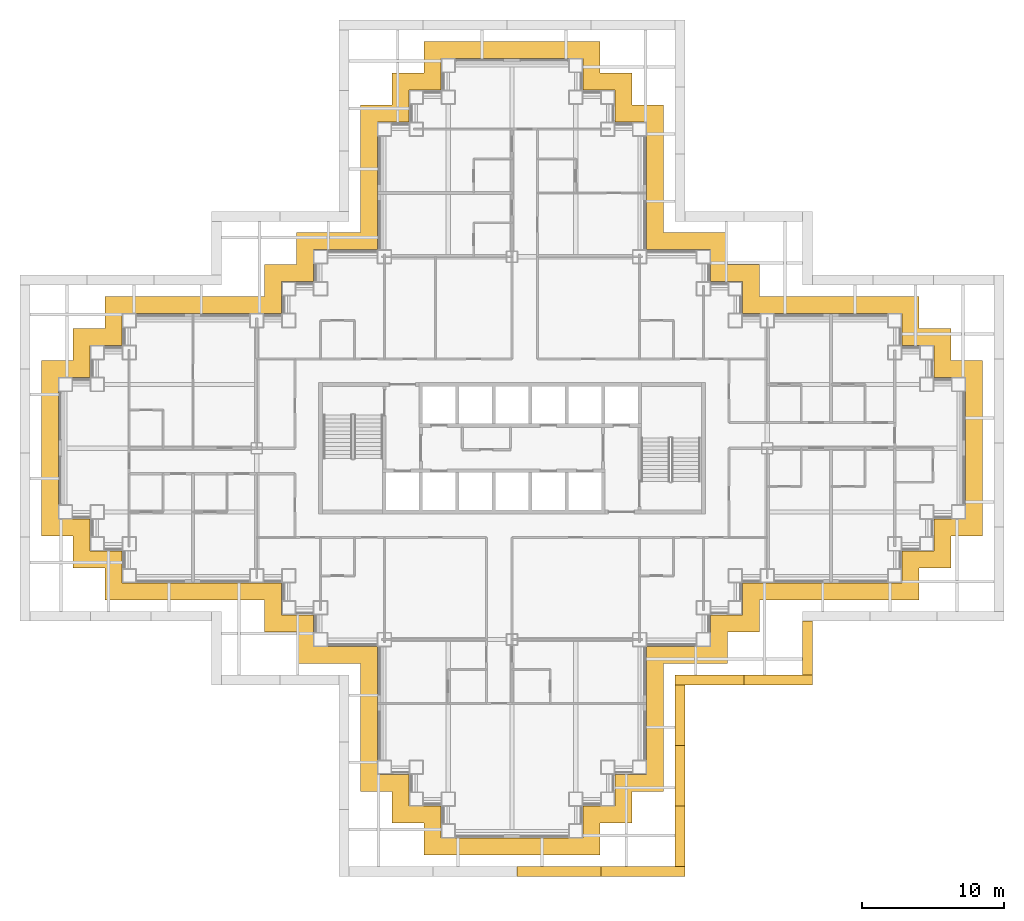
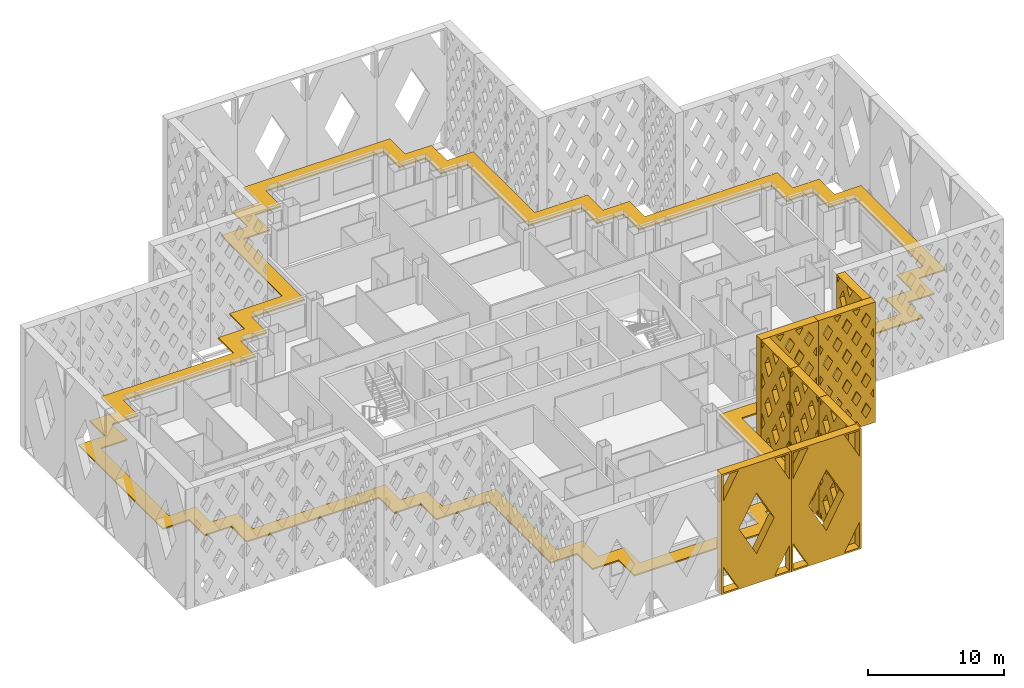
# One storey, part 15 of 19: 9 shading devices.
"""IFC4 building model written with IfcOpenShell, lengths in metres."""

from ifc_helpers import new_model, si_unit, direction, frame, origin, place, context, subcontext, project, spatial, polyline, outline, extrude, material, layer, layer_set, type_object, element, save


model = new_model("IFC4")

# Units and contexts
model_context = context("Model", 3, precision=1e-05, world=origin(), true_north=direction((0.0, 1.0)))
body_context = subcontext(model_context, "Body", "Model", "MODEL_VIEW")
ifc_project = project(units=[si_unit("LENGTHUNIT", "METRE"), si_unit("AREAUNIT", "SQUARE_METRE"), si_unit("VOLUMEUNIT", "CUBIC_METRE"), si_unit("PLANEANGLEUNIT", "RADIAN"), si_unit("MASSUNIT", "GRAM", prefix="KILO")], contexts=[model_context])

# Site, building, storey
site_placement = place(None, origin())
site = spatial("IfcSite", under=ifc_project, at=site_placement, CompositionType="ELEMENT")
building_placement = place(site_placement, origin())
building = spatial("IfcBuilding", under=site, at=building_placement, Name="Caravel Reach Hotel and Residences", CompositionType="ELEMENT")
storey_placement = place(building_placement, frame((0.0, 0.0, 74.39990234375)))
storey = spatial("IfcBuildingStorey", under=building, at=storey_placement, Name="L17", CompositionType="ELEMENT", Elevation=74.39990234375)

# Shading devices
ifc_material_1 = material(Name="Black powder-coated aluminium", Category="aluminium")
shading_device_type_1 = type_object("IfcShadingDeviceType", Name="Diamond lattice screen panel 3800 x 10800", PredefinedType="USERDEFINED", material=ifc_material_1)
shading_device_1_placement = place(storey_placement, frame((52.0, 11.0, 0.0), z_axis=(1.0, 0.0, 0.0), x_axis=(0.0, 1.0, 0.0)))
element("IfcShadingDevice", 1, at=shading_device_1_placement, inside=storey, type_object=shading_device_type_1, Name="Lattice screen L17-L19 5.1", ObjectType="SCREEN", PredefinedType="USERDEFINED", context=body_context, shape_type="SweptSolid", body=[
    extrude(outline(polyline([(0.0, 0.0), (3.800048828125, 0.0), (3.800048828125, 10.800048828125), (0.0, 10.800048828125), (0.0, 0.0)]), holes=[polyline([(0.41015625, 0.14990234375), (0.14990234375, 0.64306640625), (0.14990234375, 0.14990234375), (0.41015625, 0.14990234375)]), polyline([(0.489501953125, 3.60009765625), (0.14990234375, 4.2431640625), (0.14990234375, 2.956787109375), (0.489501953125, 3.60009765625)]), polyline([(0.489501953125, 7.199951171875), (0.14990234375, 7.843017578125), (0.14990234375, 6.556884765625), (0.489501953125, 7.199951171875)]), polyline([(0.14990234375, 10.156982421875), (0.41015625, 10.64990234375), (0.14990234375, 10.64990234375), (0.14990234375, 10.156982421875)]), polyline([(0.949951171875, 2.727294921875), (0.460693359375, 1.800048828125), (0.949951171875, 0.872802734375), (1.439453125, 1.800048828125), (0.949951171875, 2.727294921875)]), polyline([(0.949951171875, 6.327392578125), (0.460693359375, 5.39990234375), (0.949951171875, 4.47265625), (1.439453125, 5.39990234375), (0.949951171875, 6.327392578125)]), polyline([(0.949951171875, 9.92724609375), (0.460693359375, 9.0), (0.949951171875, 8.07275390625), (1.439453125, 9.0), (0.949951171875, 9.92724609375)]), polyline([(1.89990234375, 0.92724609375), (1.48974609375, 0.14990234375), (2.310302734375, 0.14990234375), (1.89990234375, 0.92724609375)]), polyline([(1.89990234375, 4.52734375), (1.41064453125, 3.60009765625), (1.89990234375, 2.672607421875), (2.389404296875, 3.60009765625), (1.89990234375, 4.52734375)]), polyline([(1.89990234375, 8.127197265625), (1.41064453125, 7.199951171875), (1.89990234375, 6.272705078125), (2.389404296875, 7.199951171875), (1.89990234375, 8.127197265625)]), polyline([(1.89990234375, 9.872802734375), (2.310302734375, 10.64990234375), (1.48974609375, 10.64990234375), (1.89990234375, 9.872802734375)]), polyline([(2.85009765625, 2.727294921875), (2.360595703125, 1.800048828125), (2.85009765625, 0.872802734375), (3.33935546875, 1.800048828125), (2.85009765625, 2.727294921875)]), polyline([(2.85009765625, 6.327392578125), (2.360595703125, 5.39990234375), (2.85009765625, 4.47265625), (3.33935546875, 5.39990234375), (2.85009765625, 6.327392578125)]), polyline([(2.85009765625, 9.92724609375), (2.360595703125, 9.0), (2.85009765625, 8.07275390625), (3.33935546875, 9.0), (2.85009765625, 9.92724609375)]), polyline([(3.64990234375, 0.64306640625), (3.3896484375, 0.14990234375), (3.64990234375, 0.14990234375), (3.64990234375, 0.64306640625)]), polyline([(3.310546875, 3.60009765625), (3.64990234375, 2.956787109375), (3.64990234375, 4.2431640625), (3.310546875, 3.60009765625)]), polyline([(3.310546875, 7.199951171875), (3.64990234375, 6.556884765625), (3.64990234375, 7.843017578125), (3.310546875, 7.199951171875)]), polyline([(3.3896484375, 10.64990234375), (3.64990234375, 10.156982421875), (3.64990234375, 10.64990234375), (3.3896484375, 10.64990234375)])]), origin(), (0.0, 0.0, 1.0), 0.699951171875),
])
ifc_material_2 = material(Name="Black powder-coated aluminium", Category="aluminium")
shading_device_type_2 = type_object("IfcShadingDeviceType", Name="Diamond lattice screen panel 4267 x 10800", PredefinedType="USERDEFINED", material=ifc_material_2)
shading_device_2_placement = place(storey_placement, frame((43.0, -2.5, 0.0), z_axis=(1.0, 0.0, 0.0), x_axis=(0.0, 1.0, 0.0)))
element("IfcShadingDevice", 2, at=shading_device_2_placement, inside=storey, type_object=shading_device_type_2, Name="Lattice screen L17-L19 3.1", ObjectType="SCREEN", PredefinedType="USERDEFINED", context=body_context, shape_type="SweptSolid", body=[
    extrude(outline(polyline([(0.0, 0.0), (4.2666015625, 0.0), (4.2666015625, 10.800048828125), (0.0, 10.800048828125), (0.0, 0.0)]), holes=[polyline([(0.457275390625, 0.14990234375), (0.14990234375, 0.66845703125), (0.14990234375, 0.14990234375), (0.457275390625, 0.14990234375)]), polyline([(0.546142578125, 3.60009765625), (0.14990234375, 4.2685546875), (0.14990234375, 2.931396484375), (0.546142578125, 3.60009765625)]), polyline([(0.546142578125, 7.199951171875), (0.14990234375, 7.868408203125), (0.14990234375, 6.531494140625), (0.546142578125, 7.199951171875)]), polyline([(0.14990234375, 10.131591796875), (0.457275390625, 10.64990234375), (0.14990234375, 10.64990234375), (0.14990234375, 10.131591796875)]), polyline([(1.066650390625, 2.7216796875), (0.5205078125, 1.800048828125), (1.066650390625, 0.87841796875), (1.61279296875, 1.800048828125), (1.066650390625, 2.7216796875)]), polyline([(1.066650390625, 6.321533203125), (0.5205078125, 5.39990234375), (1.066650390625, 4.478271484375), (1.61279296875, 5.39990234375), (1.066650390625, 6.321533203125)]), polyline([(1.066650390625, 9.921630859375), (0.5205078125, 9.0), (1.066650390625, 8.078369140625), (1.61279296875, 9.0), (1.066650390625, 9.921630859375)]), polyline([(2.13330078125, 0.921630859375), (1.676025390625, 0.14990234375), (2.590576171875, 0.14990234375), (2.13330078125, 0.921630859375)]), polyline([(2.13330078125, 4.521728515625), (1.587158203125, 3.60009765625), (2.13330078125, 2.678466796875), (2.679443359375, 3.60009765625), (2.13330078125, 4.521728515625)]), polyline([(2.13330078125, 8.12158203125), (1.587158203125, 7.199951171875), (2.13330078125, 6.2783203125), (2.679443359375, 7.199951171875), (2.13330078125, 8.12158203125)]), polyline([(2.13330078125, 9.87841796875), (2.590576171875, 10.64990234375), (1.676025390625, 10.64990234375), (2.13330078125, 9.87841796875)]), polyline([(3.199951171875, 2.7216796875), (2.65380859375, 1.800048828125), (3.199951171875, 0.87841796875), (3.74609375, 1.800048828125), (3.199951171875, 2.7216796875)]), polyline([(3.199951171875, 6.321533203125), (2.65380859375, 5.39990234375), (3.199951171875, 4.478271484375), (3.74609375, 5.39990234375), (3.199951171875, 6.321533203125)]), polyline([(3.199951171875, 9.921630859375), (2.65380859375, 9.0), (3.199951171875, 8.078369140625), (3.74609375, 9.0), (3.199951171875, 9.921630859375)]), polyline([(4.11669921875, 0.66845703125), (3.809326171875, 0.14990234375), (4.11669921875, 0.14990234375), (4.11669921875, 0.66845703125)]), polyline([(3.720458984375, 3.60009765625), (4.11669921875, 2.931396484375), (4.11669921875, 4.2685546875), (3.720458984375, 3.60009765625)]), polyline([(3.720458984375, 7.199951171875), (4.11669921875, 6.531494140625), (4.11669921875, 7.868408203125), (3.720458984375, 7.199951171875)]), polyline([(3.809326171875, 10.64990234375), (4.11669921875, 10.131591796875), (4.11669921875, 10.64990234375), (3.809326171875, 10.64990234375)])]), origin(), (0.0, 0.0, 1.0), 0.699951171875),
])
shading_device_3_placement = place(storey_placement, frame((43.0, 1.7666015625, 0.0), z_axis=(1.0, 0.0, 0.0), x_axis=(0.0, 1.0, 0.0)))
element("IfcShadingDevice", 3, at=shading_device_3_placement, inside=storey, type_object=shading_device_type_2, Name="Lattice screen L17-L19 3.2", ObjectType="SCREEN", PredefinedType="USERDEFINED", context=body_context, shape_type="SweptSolid", body=[
    extrude(outline(polyline([(0.0, 0.0), (4.2666015625, 0.0), (4.2666015625, 10.800048828125), (0.0, 10.800048828125), (0.0, 0.0)]), holes=[polyline([(0.457275390625, 0.14990234375), (0.14990234375, 0.66845703125), (0.14990234375, 0.14990234375), (0.457275390625, 0.14990234375)]), polyline([(0.546142578125, 3.60009765625), (0.14990234375, 4.2685546875), (0.14990234375, 2.931396484375), (0.546142578125, 3.60009765625)]), polyline([(0.546142578125, 7.199951171875), (0.14990234375, 7.868408203125), (0.14990234375, 6.531494140625), (0.546142578125, 7.199951171875)]), polyline([(0.14990234375, 10.131591796875), (0.457275390625, 10.64990234375), (0.14990234375, 10.64990234375), (0.14990234375, 10.131591796875)]), polyline([(1.066650390625, 2.7216796875), (0.5205078125, 1.800048828125), (1.066650390625, 0.87841796875), (1.61279296875, 1.800048828125), (1.066650390625, 2.7216796875)]), polyline([(1.066650390625, 6.321533203125), (0.5205078125, 5.39990234375), (1.066650390625, 4.478271484375), (1.61279296875, 5.39990234375), (1.066650390625, 6.321533203125)]), polyline([(1.066650390625, 9.921630859375), (0.5205078125, 9.0), (1.066650390625, 8.078369140625), (1.61279296875, 9.0), (1.066650390625, 9.921630859375)]), polyline([(2.13330078125, 0.921630859375), (1.676025390625, 0.14990234375), (2.590576171875, 0.14990234375), (2.13330078125, 0.921630859375)]), polyline([(2.13330078125, 4.521728515625), (1.587158203125, 3.60009765625), (2.13330078125, 2.678466796875), (2.679443359375, 3.60009765625), (2.13330078125, 4.521728515625)]), polyline([(2.13330078125, 8.12158203125), (1.587158203125, 7.199951171875), (2.13330078125, 6.2783203125), (2.679443359375, 7.199951171875), (2.13330078125, 8.12158203125)]), polyline([(2.13330078125, 9.87841796875), (2.590576171875, 10.64990234375), (1.676025390625, 10.64990234375), (2.13330078125, 9.87841796875)]), polyline([(3.199951171875, 2.7216796875), (2.65380859375, 1.800048828125), (3.199951171875, 0.87841796875), (3.74609375, 1.800048828125), (3.199951171875, 2.7216796875)]), polyline([(3.199951171875, 6.321533203125), (2.65380859375, 5.39990234375), (3.199951171875, 4.478271484375), (3.74609375, 5.39990234375), (3.199951171875, 6.321533203125)]), polyline([(3.199951171875, 9.921630859375), (2.65380859375, 9.0), (3.199951171875, 8.078369140625), (3.74609375, 9.0), (3.199951171875, 9.921630859375)]), polyline([(4.11669921875, 0.66845703125), (3.809326171875, 0.14990234375), (4.11669921875, 0.14990234375), (4.11669921875, 0.66845703125)]), polyline([(3.720458984375, 3.60009765625), (4.11669921875, 2.931396484375), (4.11669921875, 4.2685546875), (3.720458984375, 3.60009765625)]), polyline([(3.720458984375, 7.199951171875), (4.11669921875, 6.531494140625), (4.11669921875, 7.868408203125), (3.720458984375, 7.199951171875)]), polyline([(3.809326171875, 10.64990234375), (4.11669921875, 10.131591796875), (4.11669921875, 10.64990234375), (3.809326171875, 10.64990234375)])]), origin(), (0.0, 0.0, 1.0), 0.699951171875),
])
shading_device_4_placement = place(storey_placement, frame((43.0, 6.033447265625, 0.0), z_axis=(1.0, 0.0, 0.0), x_axis=(0.0, 1.0, 0.0)))
element("IfcShadingDevice", 4, at=shading_device_4_placement, inside=storey, type_object=shading_device_type_2, Name="Lattice screen L17-L19 3.3", ObjectType="SCREEN", PredefinedType="USERDEFINED", context=body_context, shape_type="SweptSolid", body=[
    extrude(outline(polyline([(0.0, 0.0), (4.2666015625, 0.0), (4.2666015625, 10.800048828125), (0.0, 10.800048828125), (0.0, 0.0)]), holes=[polyline([(0.457275390625, 0.14990234375), (0.14990234375, 0.66845703125), (0.14990234375, 0.14990234375), (0.457275390625, 0.14990234375)]), polyline([(0.546142578125, 3.60009765625), (0.14990234375, 4.2685546875), (0.14990234375, 2.931396484375), (0.546142578125, 3.60009765625)]), polyline([(0.546142578125, 7.199951171875), (0.14990234375, 7.868408203125), (0.14990234375, 6.531494140625), (0.546142578125, 7.199951171875)]), polyline([(0.14990234375, 10.131591796875), (0.457275390625, 10.64990234375), (0.14990234375, 10.64990234375), (0.14990234375, 10.131591796875)]), polyline([(1.066650390625, 2.7216796875), (0.5205078125, 1.800048828125), (1.066650390625, 0.87841796875), (1.61279296875, 1.800048828125), (1.066650390625, 2.7216796875)]), polyline([(1.066650390625, 6.321533203125), (0.5205078125, 5.39990234375), (1.066650390625, 4.478271484375), (1.61279296875, 5.39990234375), (1.066650390625, 6.321533203125)]), polyline([(1.066650390625, 9.921630859375), (0.5205078125, 9.0), (1.066650390625, 8.078369140625), (1.61279296875, 9.0), (1.066650390625, 9.921630859375)]), polyline([(2.13330078125, 0.921630859375), (1.676025390625, 0.14990234375), (2.590576171875, 0.14990234375), (2.13330078125, 0.921630859375)]), polyline([(2.13330078125, 4.521728515625), (1.587158203125, 3.60009765625), (2.13330078125, 2.678466796875), (2.679443359375, 3.60009765625), (2.13330078125, 4.521728515625)]), polyline([(2.13330078125, 8.12158203125), (1.587158203125, 7.199951171875), (2.13330078125, 6.2783203125), (2.679443359375, 7.199951171875), (2.13330078125, 8.12158203125)]), polyline([(2.13330078125, 9.87841796875), (2.590576171875, 10.64990234375), (1.676025390625, 10.64990234375), (2.13330078125, 9.87841796875)]), polyline([(3.199951171875, 2.7216796875), (2.65380859375, 1.800048828125), (3.199951171875, 0.87841796875), (3.74609375, 1.800048828125), (3.199951171875, 2.7216796875)]), polyline([(3.199951171875, 6.321533203125), (2.65380859375, 5.39990234375), (3.199951171875, 4.478271484375), (3.74609375, 5.39990234375), (3.199951171875, 6.321533203125)]), polyline([(3.199951171875, 9.921630859375), (2.65380859375, 9.0), (3.199951171875, 8.078369140625), (3.74609375, 9.0), (3.199951171875, 9.921630859375)]), polyline([(4.11669921875, 0.66845703125), (3.809326171875, 0.14990234375), (4.11669921875, 0.14990234375), (4.11669921875, 0.66845703125)]), polyline([(3.720458984375, 3.60009765625), (4.11669921875, 2.931396484375), (4.11669921875, 4.2685546875), (3.720458984375, 3.60009765625)]), polyline([(3.720458984375, 7.199951171875), (4.11669921875, 6.531494140625), (4.11669921875, 7.868408203125), (3.720458984375, 7.199951171875)]), polyline([(3.809326171875, 10.64990234375), (4.11669921875, 10.131591796875), (4.11669921875, 10.64990234375), (3.809326171875, 10.64990234375)])]), origin(), (0.0, 0.0, 1.0), 0.699951171875),
])
ifc_material_3 = material(Name="Black powder-coated aluminium", Category="aluminium")
shading_device_type_3 = type_object("IfcShadingDeviceType", Name="Diamond lattice screen panel 4850 x 10800", PredefinedType="USERDEFINED", material=ifc_material_3)
shading_device_5_placement = place(storey_placement, frame((43.0, 11.0, 0.0), z_axis=(0.0, -1.0, 0.0), x_axis=(1.0, 0.0, 0.0)))
element("IfcShadingDevice", 5, at=shading_device_5_placement, inside=storey, type_object=shading_device_type_3, Name="Lattice screen L17-L19 4.1", ObjectType="SCREEN", PredefinedType="USERDEFINED", context=body_context, shape_type="SweptSolid", body=[
    extrude(outline(polyline([(0.0, 0.0), (4.85009765625, 0.0), (4.85009765625, 10.800048828125), (0.0, 10.800048828125), (0.0, 0.0)]), holes=[polyline([(0.410888671875, 2.699951171875), (0.14990234375, 3.1357421875), (0.14990234375, 2.26416015625), (0.410888671875, 2.699951171875)]), polyline([(0.410888671875, 5.39990234375), (0.14990234375, 5.835693359375), (0.14990234375, 4.964111328125), (0.410888671875, 5.39990234375)]), polyline([(0.410888671875, 8.10009765625), (0.14990234375, 8.535888671875), (0.14990234375, 7.664306640625), (0.410888671875, 8.10009765625)]), polyline([(0.808349609375, 2.036376953125), (0.3974609375, 1.35009765625), (0.808349609375, 0.663818359375), (1.21923828125, 1.35009765625), (0.808349609375, 2.036376953125)]), polyline([(0.808349609375, 4.736328125), (0.3974609375, 4.050048828125), (0.808349609375, 3.36376953125), (1.21923828125, 4.050048828125), (0.808349609375, 4.736328125)]), polyline([(0.808349609375, 7.436279296875), (0.3974609375, 6.75), (0.808349609375, 6.063720703125), (1.21923828125, 6.75), (0.808349609375, 7.436279296875)]), polyline([(0.808349609375, 10.13623046875), (0.3974609375, 9.449951171875), (0.808349609375, 8.763671875), (1.21923828125, 9.449951171875), (0.808349609375, 10.13623046875)]), polyline([(1.61669921875, 0.686279296875), (1.295654296875, 0.14990234375), (1.937744140625, 0.14990234375), (1.61669921875, 0.686279296875)]), polyline([(1.61669921875, 3.38623046875), (1.205810546875, 2.699951171875), (1.61669921875, 2.013671875), (2.027587890625, 2.699951171875), (1.61669921875, 3.38623046875)]), polyline([(1.61669921875, 6.086181640625), (1.205810546875, 5.39990234375), (1.61669921875, 4.713623046875), (2.027587890625, 5.39990234375), (1.61669921875, 6.086181640625)]), polyline([(1.61669921875, 8.786376953125), (1.205810546875, 8.10009765625), (1.61669921875, 7.413818359375), (2.027587890625, 8.10009765625), (1.61669921875, 8.786376953125)]), polyline([(1.61669921875, 10.11376953125), (1.937744140625, 10.64990234375), (1.295654296875, 10.64990234375), (1.61669921875, 10.11376953125)]), polyline([(2.425048828125, 2.036376953125), (2.01416015625, 1.35009765625), (2.425048828125, 0.663818359375), (2.8359375, 1.35009765625), (2.425048828125, 2.036376953125)]), polyline([(2.425048828125, 4.736328125), (2.01416015625, 4.050048828125), (2.425048828125, 3.36376953125), (2.8359375, 4.050048828125), (2.425048828125, 4.736328125)]), polyline([(2.425048828125, 7.436279296875), (2.01416015625, 6.75), (2.425048828125, 6.063720703125), (2.8359375, 6.75), (2.425048828125, 7.436279296875)]), polyline([(2.425048828125, 10.13623046875), (2.01416015625, 9.449951171875), (2.425048828125, 8.763671875), (2.8359375, 9.449951171875), (2.425048828125, 10.13623046875)]), polyline([(3.2333984375, 0.686279296875), (2.912109375, 0.14990234375), (3.554443359375, 0.14990234375), (3.2333984375, 0.686279296875)]), polyline([(3.2333984375, 3.38623046875), (2.822509765625, 2.699951171875), (3.2333984375, 2.013671875), (3.644287109375, 2.699951171875), (3.2333984375, 3.38623046875)]), polyline([(3.2333984375, 6.086181640625), (2.822509765625, 5.39990234375), (3.2333984375, 4.713623046875), (3.644287109375, 5.39990234375), (3.2333984375, 6.086181640625)]), polyline([(3.2333984375, 8.786376953125), (2.822509765625, 8.10009765625), (3.2333984375, 7.413818359375), (3.644287109375, 8.10009765625), (3.2333984375, 8.786376953125)]), polyline([(3.2333984375, 10.11376953125), (3.554443359375, 10.64990234375), (2.912109375, 10.64990234375), (3.2333984375, 10.11376953125)]), polyline([(4.041748046875, 2.036376953125), (3.630859375, 1.35009765625), (4.041748046875, 0.663818359375), (4.45263671875, 1.35009765625), (4.041748046875, 2.036376953125)]), polyline([(4.041748046875, 4.736328125), (3.630859375, 4.050048828125), (4.041748046875, 3.36376953125), (4.45263671875, 4.050048828125), (4.041748046875, 4.736328125)]), polyline([(4.041748046875, 7.436279296875), (3.630859375, 6.75), (4.041748046875, 6.063720703125), (4.45263671875, 6.75), (4.041748046875, 7.436279296875)]), polyline([(4.041748046875, 10.13623046875), (3.630859375, 9.449951171875), (4.041748046875, 8.763671875), (4.45263671875, 9.449951171875), (4.041748046875, 10.13623046875)]), polyline([(4.43896484375, 2.699951171875), (4.699951171875, 2.26416015625), (4.699951171875, 3.1357421875), (4.43896484375, 2.699951171875)]), polyline([(4.43896484375, 5.39990234375), (4.699951171875, 4.964111328125), (4.699951171875, 5.835693359375), (4.43896484375, 5.39990234375)]), polyline([(4.43896484375, 8.10009765625), (4.699951171875, 7.664306640625), (4.699951171875, 8.535888671875), (4.43896484375, 8.10009765625)])]), origin(), (0.0, 0.0, 1.0), 0.699951171875),
])
shading_device_6_placement = place(storey_placement, frame((47.85009765625, 11.0, 0.0), z_axis=(0.0, -1.0, 0.0), x_axis=(1.0, 0.0, 0.0)))
element("IfcShadingDevice", 6, at=shading_device_6_placement, inside=storey, type_object=shading_device_type_3, Name="Lattice screen L17-L19 4.2", ObjectType="SCREEN", PredefinedType="USERDEFINED", context=body_context, shape_type="SweptSolid", body=[
    extrude(outline(polyline([(0.0, 0.0), (4.85009765625, 0.0), (4.85009765625, 10.800048828125), (0.0, 10.800048828125), (0.0, 0.0)]), holes=[polyline([(0.410888671875, 2.699951171875), (0.14990234375, 3.1357421875), (0.14990234375, 2.26416015625), (0.410888671875, 2.699951171875)]), polyline([(0.410888671875, 5.39990234375), (0.14990234375, 5.835693359375), (0.14990234375, 4.964111328125), (0.410888671875, 5.39990234375)]), polyline([(0.410888671875, 8.10009765625), (0.14990234375, 8.535888671875), (0.14990234375, 7.664306640625), (0.410888671875, 8.10009765625)]), polyline([(0.808349609375, 2.036376953125), (0.3974609375, 1.35009765625), (0.808349609375, 0.663818359375), (1.21923828125, 1.35009765625), (0.808349609375, 2.036376953125)]), polyline([(0.808349609375, 4.736328125), (0.3974609375, 4.050048828125), (0.808349609375, 3.36376953125), (1.21923828125, 4.050048828125), (0.808349609375, 4.736328125)]), polyline([(0.808349609375, 7.436279296875), (0.3974609375, 6.75), (0.808349609375, 6.063720703125), (1.21923828125, 6.75), (0.808349609375, 7.436279296875)]), polyline([(0.808349609375, 10.13623046875), (0.3974609375, 9.449951171875), (0.808349609375, 8.763671875), (1.21923828125, 9.449951171875), (0.808349609375, 10.13623046875)]), polyline([(1.61669921875, 0.686279296875), (1.295654296875, 0.14990234375), (1.937744140625, 0.14990234375), (1.61669921875, 0.686279296875)]), polyline([(1.61669921875, 3.38623046875), (1.205810546875, 2.699951171875), (1.61669921875, 2.013671875), (2.027587890625, 2.699951171875), (1.61669921875, 3.38623046875)]), polyline([(1.61669921875, 6.086181640625), (1.205810546875, 5.39990234375), (1.61669921875, 4.713623046875), (2.027587890625, 5.39990234375), (1.61669921875, 6.086181640625)]), polyline([(1.61669921875, 8.786376953125), (1.205810546875, 8.10009765625), (1.61669921875, 7.413818359375), (2.027587890625, 8.10009765625), (1.61669921875, 8.786376953125)]), polyline([(1.61669921875, 10.11376953125), (1.937744140625, 10.64990234375), (1.295654296875, 10.64990234375), (1.61669921875, 10.11376953125)]), polyline([(2.425048828125, 2.036376953125), (2.01416015625, 1.35009765625), (2.425048828125, 0.663818359375), (2.8359375, 1.35009765625), (2.425048828125, 2.036376953125)]), polyline([(2.425048828125, 4.736328125), (2.01416015625, 4.050048828125), (2.425048828125, 3.36376953125), (2.8359375, 4.050048828125), (2.425048828125, 4.736328125)]), polyline([(2.425048828125, 7.436279296875), (2.01416015625, 6.75), (2.425048828125, 6.063720703125), (2.8359375, 6.75), (2.425048828125, 7.436279296875)]), polyline([(2.425048828125, 10.13623046875), (2.01416015625, 9.449951171875), (2.425048828125, 8.763671875), (2.8359375, 9.449951171875), (2.425048828125, 10.13623046875)]), polyline([(3.2333984375, 0.686279296875), (2.912109375, 0.14990234375), (3.554443359375, 0.14990234375), (3.2333984375, 0.686279296875)]), polyline([(3.2333984375, 3.38623046875), (2.822509765625, 2.699951171875), (3.2333984375, 2.013671875), (3.644287109375, 2.699951171875), (3.2333984375, 3.38623046875)]), polyline([(3.2333984375, 6.086181640625), (2.822509765625, 5.39990234375), (3.2333984375, 4.713623046875), (3.644287109375, 5.39990234375), (3.2333984375, 6.086181640625)]), polyline([(3.2333984375, 8.786376953125), (2.822509765625, 8.10009765625), (3.2333984375, 7.413818359375), (3.644287109375, 8.10009765625), (3.2333984375, 8.786376953125)]), polyline([(3.2333984375, 10.11376953125), (3.554443359375, 10.64990234375), (2.912109375, 10.64990234375), (3.2333984375, 10.11376953125)]), polyline([(4.041748046875, 2.036376953125), (3.630859375, 1.35009765625), (4.041748046875, 0.663818359375), (4.45263671875, 1.35009765625), (4.041748046875, 2.036376953125)]), polyline([(4.041748046875, 4.736328125), (3.630859375, 4.050048828125), (4.041748046875, 3.36376953125), (4.45263671875, 4.050048828125), (4.041748046875, 4.736328125)]), polyline([(4.041748046875, 7.436279296875), (3.630859375, 6.75), (4.041748046875, 6.063720703125), (4.45263671875, 6.75), (4.041748046875, 7.436279296875)]), polyline([(4.041748046875, 10.13623046875), (3.630859375, 9.449951171875), (4.041748046875, 8.763671875), (4.45263671875, 9.449951171875), (4.041748046875, 10.13623046875)]), polyline([(4.43896484375, 2.699951171875), (4.699951171875, 2.26416015625), (4.699951171875, 3.1357421875), (4.43896484375, 2.699951171875)]), polyline([(4.43896484375, 5.39990234375), (4.699951171875, 4.964111328125), (4.699951171875, 5.835693359375), (4.43896484375, 5.39990234375)]), polyline([(4.43896484375, 8.10009765625), (4.699951171875, 7.664306640625), (4.699951171875, 8.535888671875), (4.43896484375, 8.10009765625)])]), origin(), (0.0, 0.0, 1.0), 0.699951171875),
])
ifc_material_4 = material(Name="Black powder-coated aluminium", Category="aluminium")
shading_device_type_4 = type_object("IfcShadingDeviceType", Name="Diamond lattice screen panel 5925 x 10800", PredefinedType="USERDEFINED", material=ifc_material_4)
for number, where, z_axis, x_axis, name in (
    (7, (31.85009765625, -2.5, 0.0), (0.0, -1.0, 0.0), (1.0, 0.0, 0.0), "Lattice screen L17-L19 2.3"),
    (8, (37.77490234375, -2.5, 0.0), (0.0, -1.0, 0.0), (1.0, 0.0, 0.0), "Lattice screen L17-L19 2.4"),
):
    element("IfcShadingDevice", number, at=place(storey_placement, frame(where, z_axis=z_axis, x_axis=x_axis)), inside=storey, type_object=shading_device_type_4, Name=name, ObjectType="SCREEN", PredefinedType="USERDEFINED", context=body_context, shape_type="SweptSolid", body=[
        extrude(outline(polyline([(0.0, 0.0), (5.925048828125, 0.0), (5.925048828125, 10.800048828125), (0.0, 10.800048828125), (0.0, 0.0)]), holes=[polyline([(1.41845703125, 0.14990234375), (0.14990234375, 2.462158203125), (0.14990234375, 0.14990234375), (1.41845703125, 0.14990234375)]), polyline([(0.14990234375, 8.337646484375), (1.41845703125, 10.64990234375), (0.14990234375, 10.64990234375), (0.14990234375, 8.337646484375)]), polyline([(2.96240234375, 8.1357421875), (1.461669921875, 5.39990234375), (2.96240234375, 2.664306640625), (4.46337890625, 5.39990234375), (2.96240234375, 8.1357421875)]), polyline([(5.77490234375, 2.462158203125), (4.506591796875, 0.14990234375), (5.77490234375, 0.14990234375), (5.77490234375, 2.462158203125)]), polyline([(4.506591796875, 10.64990234375), (5.77490234375, 8.337646484375), (5.77490234375, 10.64990234375), (4.506591796875, 10.64990234375)])]), origin(), (0.0, 0.0, 1.0), 0.699951171875),
    ])
ifc_material_5 = material(Name="Black powder-coated aluminium", Category="aluminium")
ifc_layer = layer(ifc_material_5, 0.1201171875)
ifc_layer_set = layer_set([ifc_layer], Name="SS1 Sunshade band 1200")
shading_device_type_5 = type_object("IfcShadingDeviceType", Name="SS1 Sunshade band 1200", PredefinedType="USERDEFINED", material=ifc_layer_set)
shading_device_7_placement = place(storey_placement, frame((0.0, 0.0, 3.0400390625)))
element("IfcShadingDevice", 9, at=shading_device_7_placement, inside=storey, type_object=shading_device_type_5, Name="Sunshade L17 1", ObjectType="SUNSHADE", PredefinedType="USERDEFINED", context=body_context, shape_type="SweptSolid", body=[
    extrude(outline(polyline([(20.800048828125, 11.800048828125), (20.800048828125, 2.800048828125), (23.050048828125, 2.800048828125), (23.050048828125, 0.550048828125), (25.300048828125, 0.550048828125), (25.300048828125, -1.699951171875), (37.699951171875, -1.699951171875), (37.699951171875, 0.550048828125), (39.949951171875, 0.550048828125), (39.949951171875, 2.800048828125), (42.199951171875, 2.800048828125), (42.199951171875, 11.800048828125), (46.699951171875, 11.800048828125), (46.699951171875, 14.050048828125), (48.949951171875, 14.050048828125), (48.949951171875, 16.300048828125), (60.199951171875, 16.300048828125), (60.199951171875, 18.550048828125), (62.449951171875, 18.550048828125), (62.449951171875, 20.800048828125), (64.699951171875, 20.800048828125), (64.699951171875, 33.199951171875), (62.449951171875, 33.199951171875), (62.449951171875, 35.449951171875), (60.199951171875, 35.449951171875), (60.199951171875, 37.699951171875), (48.949951171875, 37.699951171875), (48.949951171875, 39.949951171875), (46.699951171875, 39.949951171875), (46.699951171875, 42.199951171875), (42.199951171875, 42.199951171875), (42.199951171875, 51.199951171875), (39.949951171875, 51.199951171875), (39.949951171875, 53.449951171875), (37.699951171875, 53.449951171875), (37.699951171875, 55.699951171875), (25.300048828125, 55.699951171875), (25.300048828125, 53.449951171875), (23.050048828125, 53.449951171875), (23.050048828125, 51.199951171875), (20.800048828125, 51.199951171875), (20.800048828125, 42.199951171875), (16.300048828125, 42.199951171875), (16.300048828125, 39.949951171875), (14.050048828125, 39.949951171875), (14.050048828125, 37.699951171875), (2.800048828125, 37.699951171875), (2.800048828125, 35.449951171875), (0.550048828125, 35.449951171875), (0.550048828125, 33.199951171875), (-1.699951171875, 33.199951171875), (-1.699951171875, 20.800048828125), (0.550048828125, 20.800048828125), (0.550048828125, 18.550048828125), (2.800048828125, 18.550048828125), (2.800048828125, 16.300048828125), (14.050048828125, 16.300048828125), (14.050048828125, 14.050048828125), (16.300048828125, 14.050048828125), (16.300048828125, 11.800048828125), (20.800048828125, 11.800048828125)]), holes=[polyline([(24.25, 4.0), (22.0, 4.0), (22.0, 13.0), (17.5, 13.0), (17.5, 15.25), (15.25, 15.25), (15.25, 17.5), (4.0, 17.5), (4.0, 19.75), (1.75, 19.75), (1.75, 22.0), (-0.5, 22.0), (-0.5, 32.0), (1.75, 32.0), (1.75, 34.25), (4.0, 34.25), (4.0, 36.5), (15.25, 36.5), (15.25, 38.75), (17.5, 38.75), (17.5, 41.0), (22.0, 41.0), (22.0, 50.0), (24.25, 50.0), (24.25, 52.25), (26.5, 52.25), (26.5, 54.5), (36.5, 54.5), (36.5, 52.25), (38.75, 52.25), (38.75, 50.0), (41.0, 50.0), (41.0, 41.0), (45.5, 41.0), (45.5, 38.75), (47.75, 38.75), (47.75, 36.5), (59.0, 36.5), (59.0, 34.25), (61.25, 34.25), (61.25, 32.0), (63.5, 32.0), (63.5, 22.0), (61.25, 22.0), (61.25, 19.75), (59.0, 19.75), (59.0, 17.5), (47.75, 17.5), (47.75, 15.25), (45.5, 15.25), (45.5, 13.0), (41.0, 13.0), (41.0, 4.0), (38.75, 4.0), (38.75, 1.75), (36.5, 1.75), (36.5, -0.5), (26.5, -0.5), (26.5, 1.75), (24.25, 1.75), (24.25, 4.0)])]), origin(), (0.0, 0.0, 1.0), 0.1201171875),
])

save(model, "model.ifc")
